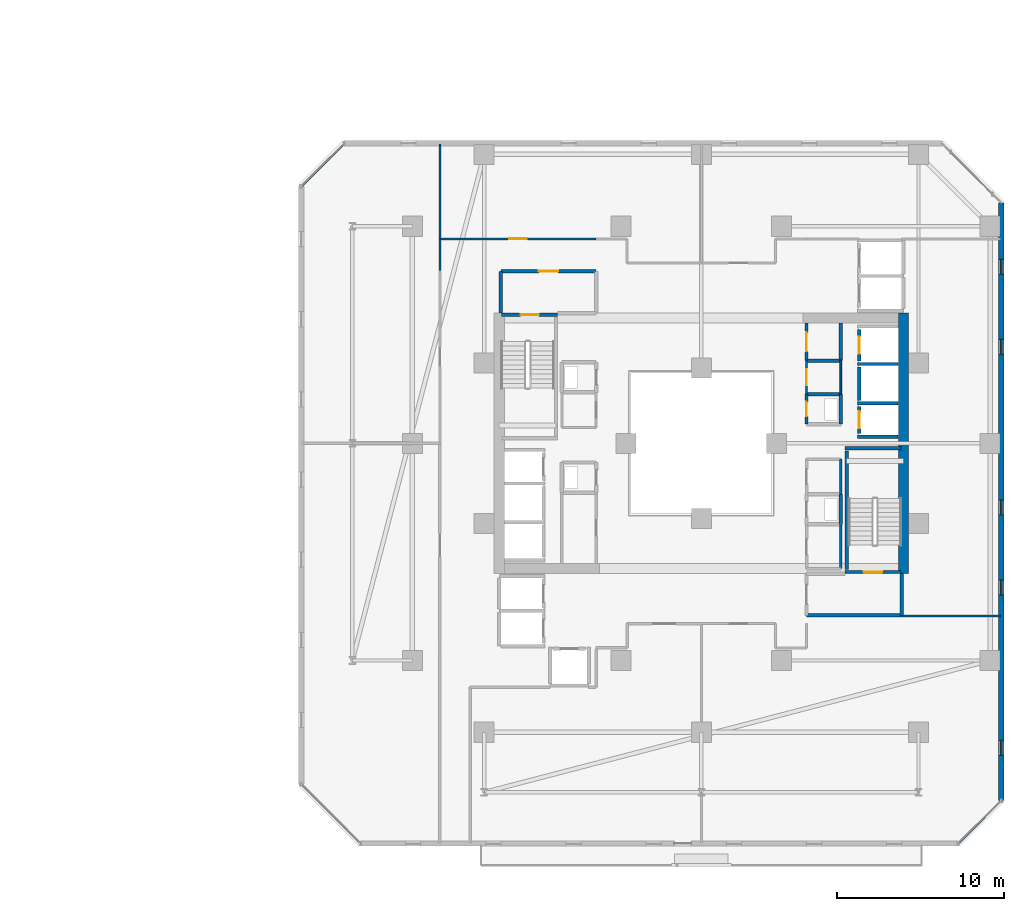
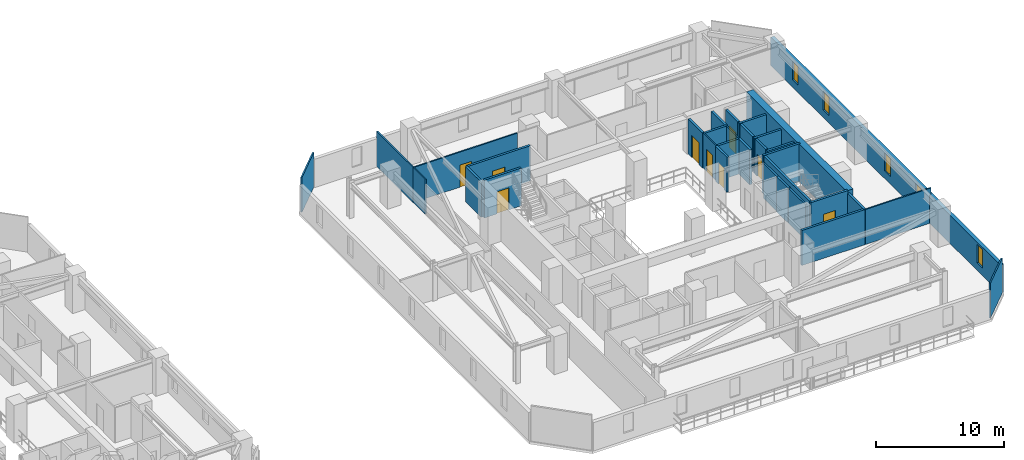
# One storey, part 25 of 33: 33 walls, 9 doors, 5 windows, 14 openings.
"""IFC4 building model written with IfcOpenShell, lengths in metres."""

from ifc_helpers import new_model, si_unit, direction, frame, frame_2d, origin, place, context, subcontext, project, spatial, rectangle, extrude, material, layer, layer_set, type_object, element, fill, save


model = new_model("IFC4")

# Units and contexts
model_context = context("Model", 3, precision=1e-05, world=origin(), true_north=direction((0.0, 1.0)))
body_context = subcontext(model_context, "Body", "Model", "MODEL_VIEW")
ifc_project = project(units=[si_unit("LENGTHUNIT", "METRE"), si_unit("AREAUNIT", "SQUARE_METRE"), si_unit("VOLUMEUNIT", "CUBIC_METRE"), si_unit("PLANEANGLEUNIT", "RADIAN"), si_unit("MASSUNIT", "GRAM", prefix="KILO")], contexts=[model_context])

# Site, building, storey
site_placement = place(None, origin())
site = spatial("IfcSite", under=ifc_project, at=site_placement, CompositionType="ELEMENT")
building_placement = place(site_placement, origin())
building = spatial("IfcBuilding", under=site, at=building_placement, Name="Thornwick Lancets Civic Towers", CompositionType="ELEMENT")
storey_placement = place(building_placement, frame((0.0, 0.0, 105.300048828125)))
storey = spatial("IfcBuildingStorey", under=building, at=storey_placement, Name="L27", CompositionType="ELEMENT", Elevation=105.300048828125)

# Wall, opening, door
ifc_material_1 = material(Name="Concrete blockwork C40/50", Category="masonry")
ifc_layer_1 = layer(ifc_material_1, 0.199951171875, Name="Concrete blockwork C40/50")
ifc_layer_set_1 = layer_set([ifc_layer_1], Name="Concrete blockwork C40/50")
wall_type_1 = type_object("IfcWallType", Name="WALL_COMP_200", PredefinedType="STANDARD", material=ifc_layer_set_1)
wall_1_placement = place(storey_placement, frame((97.949951171875, 29.219970703125, 0.0), z_axis=(0.0, 0.0, 1.0), x_axis=(0.0, -1.0, 0.0)))
wall_1 = element("IfcWall", 1, at=wall_1_placement, inside=storey, type_object=wall_type_1, Name="L27 Hoistway Front Wall FL-B1", PredefinedType="STANDARD", context=body_context, shape_type="SweptSolid", body=[
    extrude(rectangle(XDim=1.639892578125, YDim=0.199951171875, at=frame_2d((0.81982421875, 0.0))), origin(), (0.0, 0.0, 1.0), 3.33984375),
])
opening_1_placement = place(wall_1_placement, frame((0.31005859375, 0.0, 0.0)))
opening_1 = element("IfcOpeningElement", 2, at=opening_1_placement, cuts=wall_1, Name="Opening LD-FL-B1", PredefinedType="OPENING", context=body_context, shape_type="SweptSolid", body=[
    extrude(rectangle(XDim=1.02001953125, YDim=2.06005859375, at=frame_2d((0.510009765625, 1.030029296875))), frame((0.0, 0.10986328125, 0.0), z_axis=(0.0, -1.0, 0.0), x_axis=(1.0, 0.0, 0.0)), (0.0, 0.0, 1.0), 0.219970703125),
])
ifc_material_2 = material(Name="Brushed bronze stainless steel", Category="steel")
door_type_1 = type_object("IfcDoorType", Name="DOOR_LIFT_SLIDE", OperationType="SLIDING_TO_LEFT", PredefinedType="DOOR", material=ifc_material_2)
door_1_placement = place(opening_1_placement, origin())
door_1 = element("IfcDoor", 3, at=door_1_placement, inside=storey, type_object=door_type_1, Name="L27 Sliding Lift Landing Door LD-FL-B1", OperationType="SLIDING_TO_LEFT", OverallHeight=2.06005859375, OverallWidth=1.02001953125, PredefinedType="DOOR", context=body_context, shape_type="SweptSolid", body=[
    extrude(rectangle(XDim=1.02001953125, YDim=2.06005859375, at=frame_2d((0.510009765625, 1.030029296875))), frame((0.0, 0.02490234375, 0.0), z_axis=(0.0, -1.0, 0.0), x_axis=(1.0, 0.0, 0.0)), (0.0, 0.0, 1.0), 0.050048828125),
])
fill(opening_1, door_1)

# Wall
wall_2_placement = place(storey_placement, frame((97.949951171875, 31.570068359375, 0.0), z_axis=(0.0, 0.0, 1.0), x_axis=(0.0, -1.0, 0.0)))
element("IfcWall", 4, at=wall_2_placement, inside=storey, type_object=wall_type_1, Name="L27 Hoistway Front Wall PL-BH1", PredefinedType="STANDARD", context=body_context, shape_type="SweptSolid", body=[
    extrude(rectangle(XDim=1.989990234375, YDim=0.199951171875, at=frame_2d((0.9951171875, 0.0))), origin(), (0.0, 0.0, 1.0), 3.33984375),
])

# Wall, opening, door
wall_3_placement = place(storey_placement, frame((97.949951171875, 33.820068359375, 0.0), z_axis=(0.0, 0.0, 1.0), x_axis=(0.0, -1.0, 0.0)))
wall_3 = element("IfcWall", 5, at=wall_3_placement, inside=storey, type_object=wall_type_1, Name="L27 Hoistway Front Wall PL-BL1", PredefinedType="STANDARD", context=body_context, shape_type="SweptSolid", body=[
    extrude(rectangle(XDim=1.89013671875, YDim=0.199951171875, at=frame_2d((0.945068359375, 0.0))), origin(), (0.0, 0.0, 1.0), 3.33984375),
])
opening_2_placement = place(wall_3_placement, frame((0.43505859375, 0.0, 0.0)))
opening_2 = element("IfcOpeningElement", 6, at=opening_2_placement, cuts=wall_3, Name="Opening LD-PL-BL1", PredefinedType="OPENING", context=body_context, shape_type="SweptSolid", body=[
    extrude(rectangle(XDim=1.02001953125, YDim=2.06005859375, at=frame_2d((0.510009765625, 1.030029296875))), frame((0.0, 0.10986328125, 0.0), z_axis=(0.0, -1.0, 0.0), x_axis=(1.0, 0.0, 0.0)), (0.0, 0.0, 1.0), 0.219970703125),
])
door_2_placement = place(opening_2_placement, origin())
door_2 = element("IfcDoor", 7, at=door_2_placement, inside=storey, type_object=door_type_1, Name="L27 Sliding Lift Landing Door LD-PL-BL1", OperationType="SLIDING_TO_LEFT", OverallHeight=2.06005859375, OverallWidth=1.02001953125, PredefinedType="DOOR", context=body_context, shape_type="SweptSolid", body=[
    extrude(rectangle(XDim=1.02001953125, YDim=2.06005859375, at=frame_2d((0.510009765625, 1.030029296875))), frame((0.0, 0.02490234375, 0.0), z_axis=(0.0, -1.0, 0.0), x_axis=(1.0, 0.0, 0.0)), (0.0, 0.0, 1.0), 0.050048828125),
])
fill(opening_2, door_2)

# Walls
for number, where, z_axis, x_axis, name in (
    (8, (97.85205078125, 29.39990234375, 0.0), (0.0, 0.0, 1.0), (1.0, 0.0, 0.0), "L27 Hoistway Shaft Wall FL-B1 N"),
    (9, (97.85205078125, 27.39990234375, 0.0), (0.0, 0.0, 1.0), (1.0, 0.0, 0.0), "L27 Hoistway Shaft Wall FL-B1 S"),
    (10, (97.85205078125, 31.75, 0.0), (0.0, 0.0, 1.0), (1.0, 0.0, 0.0), "L27 Hoistway Shaft Wall PL-BH1 N"),
):
    element("IfcWall", number, at=place(storey_placement, frame(where, z_axis=z_axis, x_axis=x_axis)), inside=storey, type_object=wall_type_1, Name=name, PredefinedType="STANDARD", context=body_context, shape_type="SweptSolid", body=[
        extrude(rectangle(XDim=2.43603515625, YDim=0.199951171875, at=frame_2d((1.218017578125, 0.0))), origin(), (0.0, 0.0, 1.0), 3.33984375),
    ])
wall_4_placement = place(storey_placement, frame((94.800048828125, 16.699951171875, 0.0), z_axis=(0.0, 0.0, 1.0), x_axis=(1.0, 0.0, 0.0)))
element("IfcWall", 11, at=wall_4_placement, inside=storey, type_object=wall_type_1, Name="L27 Partition L27-B-FFLOB1 E1", PredefinedType="STANDARD", context=body_context, shape_type="SweptSolid", body=[
    extrude(rectangle(XDim=5.699951171875, YDim=0.199951171875, at=frame_2d((2.85009765625, 0.0))), origin(), (0.0, 0.0, 1.0), 3.33984375),
])
wall_5_placement = place(storey_placement, frame((100.5, 16.699951171875, 0.0), z_axis=(0.0, 0.0, 1.0), x_axis=(0.0, 1.0, 0.0)))
element("IfcWall", 12, at=wall_5_placement, inside=storey, type_object=wall_type_1, Name="L27 Partition L27-B-FFLOB1 E2", PredefinedType="STANDARD", context=body_context, shape_type="SweptSolid", body=[
    extrude(rectangle(XDim=2.5, YDim=0.199951171875, at=frame_2d((1.25, 0.0))), origin(), (0.0, 0.0, 1.0), 3.33984375),
])

# Wall, opening, door
wall_6_placement = place(storey_placement, frame((82.199951171875, 37.300048828125, 0.0), z_axis=(0.0, 0.0, 1.0), x_axis=(-1.0, 0.0, 0.0)))
wall_6 = element("IfcWall", 13, at=wall_6_placement, inside=storey, type_object=wall_type_1, Name="L27 Partition L27-B-FFLOB2 E3", PredefinedType="STANDARD", context=body_context, shape_type="SweptSolid", body=[
    extrude(rectangle(XDim=5.699951171875, YDim=0.199951171875, at=frame_2d((2.85009765625, 0.0))), origin(), (0.0, 0.0, 1.0), 3.33984375),
])
opening_3_placement = place(wall_6_placement, frame((2.27490234375, 0.0, 0.0)))
opening_3 = element("IfcOpeningElement", 14, at=opening_3_placement, cuts=wall_6, Name="Opening D-L27-1246", PredefinedType="OPENING", context=body_context, shape_type="SweptSolid", body=[
    extrude(rectangle(XDim=1.14990234375, YDim=2.10009765625, at=frame_2d((0.574951171875, 1.050048828125))), frame((0.0, 0.10986328125, 0.0), z_axis=(0.0, -1.0, 0.0), x_axis=(1.0, 0.0, 0.0)), (0.0, 0.0, 1.0), 0.219970703125),
])
ifc_material_3 = material(Name="Glazed fire-resisting steel", Category="steel")
door_type_2 = type_object("IfcDoorType", Name="DOOR_LOBBY_FD60", OperationType="NOTDEFINED", PredefinedType="DOOR", material=ifc_material_3)
door_3_placement = place(opening_3_placement, origin())
door_3 = element("IfcDoor", 15, at=door_3_placement, inside=storey, type_object=door_type_2, Name="L27 West Firefighting Lobby 2 Door", OperationType="SINGLE_SWING_LEFT", OverallHeight=2.10009765625, OverallWidth=1.14990234375, PredefinedType="DOOR", context=body_context, shape_type="SweptSolid", body=[
    extrude(rectangle(XDim=1.14990234375, YDim=2.10009765625, at=frame_2d((0.574951171875, 1.050048828125))), frame((0.0, 0.02490234375, 0.0), z_axis=(0.0, -1.0, 0.0), x_axis=(1.0, 0.0, 0.0)), (0.0, 0.0, 1.0), 0.050048828125),
])
fill(opening_3, door_3)

# Walls
wall_7_placement = place(storey_placement, frame((76.5, 37.300048828125, 0.0), z_axis=(0.0, 0.0, 1.0), x_axis=(0.0, -1.0, 0.0)))
element("IfcWall", 16, at=wall_7_placement, inside=storey, type_object=wall_type_1, Name="L27 Partition L27-B-FFLOB2 E4", PredefinedType="STANDARD", context=body_context, shape_type="SweptSolid", body=[
    extrude(rectangle(XDim=2.5, YDim=0.199951171875, at=frame_2d((1.25, 0.0))), origin(), (0.0, 0.0, 1.0), 3.33984375),
])
wall_8_placement = place(storey_placement, frame((96.85009765625, 28.14990234375, 0.0), z_axis=(0.0, 0.0, 1.0), x_axis=(0.0, 1.0, 0.0)))
element("IfcWall", 17, at=wall_8_placement, inside=storey, type_object=wall_type_1, Name="L27 Partition L27-B-DUCT1 E2", PredefinedType="STANDARD", context=body_context, shape_type="SweptSolid", body=[
    extrude(rectangle(XDim=1.800048828125, YDim=0.199951171875, at=frame_2d((0.89990234375, 0.0))), origin(), (0.0, 0.0, 1.0), 3.33984375),
])
wall_9_placement = place(storey_placement, frame((96.85009765625, 29.949951171875, 0.0), z_axis=(0.0, 0.0, 1.0), x_axis=(-1.0, 0.0, 0.0)))
element("IfcWall", 18, at=wall_9_placement, inside=storey, type_object=wall_type_1, Name="L27 Partition L27-B-DUCT1 E3", PredefinedType="STANDARD", context=body_context, shape_type="SweptSolid", body=[
    extrude(rectangle(XDim=2.050048828125, YDim=0.199951171875, at=frame_2d((1.02490234375, 0.0))), origin(), (0.0, 0.0, 1.0), 3.33984375),
])

# Wall, opening, door
wall_10_placement = place(storey_placement, frame((94.800048828125, 29.949951171875, 0.0), z_axis=(0.0, 0.0, 1.0), x_axis=(0.0, -1.0, 0.0)))
wall_10 = element("IfcWall", 19, at=wall_10_placement, inside=storey, type_object=wall_type_1, Name="L27 Partition L27-B-DUCT1 E4", PredefinedType="STANDARD", context=body_context, shape_type="SweptSolid", body=[
    extrude(rectangle(XDim=1.800048828125, YDim=0.199951171875, at=frame_2d((0.89990234375, 0.0))), origin(), (0.0, 0.0, 1.0), 3.33984375),
])
opening_4_placement = place(wall_10_placement, frame((0.4599609375, 0.0, 0.0)))
opening_4 = element("IfcOpeningElement", 20, at=opening_4_placement, cuts=wall_10, Name="Opening D-L27-1247", PredefinedType="OPENING", context=body_context, shape_type="SweptSolid", body=[
    extrude(rectangle(XDim=0.8798828125, YDim=2.0400390625, at=frame_2d((0.43994140625, 1.02001953125))), frame((0.0, 0.10986328125, 0.0), z_axis=(0.0, -1.0, 0.0), x_axis=(1.0, 0.0, 0.0)), (0.0, 0.0, 1.0), 0.219970703125),
])
ifc_material_4 = material(Name="Steel riser access doorset", Category="steel")
door_type_3 = type_object("IfcDoorType", Name="DOOR_RISER_850", OperationType="NOTDEFINED", PredefinedType="DOOR", material=ifc_material_4)
door_4_placement = place(opening_4_placement, origin())
door_4 = element("IfcDoor", 21, at=door_4_placement, inside=storey, type_object=door_type_3, Name="L27 East Service Duct 1 Door", OperationType="SINGLE_SWING_RIGHT", OverallHeight=2.0400390625, OverallWidth=0.8798828125, PredefinedType="DOOR", context=body_context, shape_type="SweptSolid", body=[
    extrude(rectangle(XDim=0.8798828125, YDim=2.0400390625, at=frame_2d((0.43994140625, 1.02001953125))), frame((0.0, 0.02490234375, 0.0), z_axis=(0.0, -1.0, 0.0), x_axis=(1.0, 0.0, 0.0)), (0.0, 0.0, 1.0), 0.050048828125),
])
fill(opening_4, door_4)

# Wall
wall_11_placement = place(storey_placement, frame((96.85009765625, 22.14990234375, 0.0), z_axis=(0.0, 0.0, 1.0), x_axis=(0.0, 1.0, 0.0)))
element("IfcWall", 22, at=wall_11_placement, inside=storey, type_object=wall_type_1, Name="L27 Partition L27-B-RISER1 E2", PredefinedType="STANDARD", context=body_context, shape_type="SweptSolid", body=[
    extrude(rectangle(XDim=1.800048828125, YDim=0.199951171875, at=frame_2d((0.89990234375, 0.0))), origin(), (0.0, 0.0, 1.0), 3.33984375),
])

# Wall, opening, door
wall_12_placement = place(storey_placement, frame((94.800048828125, 31.949951171875, 0.0), z_axis=(0.0, 0.0, 1.0), x_axis=(0.0, 1.0, 0.0)))
wall_12 = element("IfcWall", 23, at=wall_12_placement, inside=storey, type_object=wall_type_1, Name="L27 Partition L27-B-ITR2 E1", PredefinedType="STANDARD", context=body_context, shape_type="SweptSolid", body=[
    extrude(rectangle(XDim=2.25, YDim=0.199951171875, at=frame_2d((1.125, 0.0))), origin(), (0.0, 0.0, 1.0), 3.33984375),
])
opening_5_placement = place(wall_12_placement, frame((0.550048828125, 0.0, 0.0)))
opening_5 = element("IfcOpeningElement", 24, at=opening_5_placement, cuts=wall_12, Name="Opening D-L27-1254", PredefinedType="OPENING", context=body_context, shape_type="SweptSolid", body=[
    extrude(rectangle(XDim=1.14990234375, YDim=2.10009765625, at=frame_2d((0.574951171875, 1.050048828125))), frame((0.0, 0.10986328125, 0.0), z_axis=(0.0, -1.0, 0.0), x_axis=(1.0, 0.0, 0.0)), (0.0, 0.0, 1.0), 0.219970703125),
])
door_5_placement = place(opening_5_placement, origin())
door_5 = element("IfcDoor", 25, at=door_5_placement, inside=storey, type_object=door_type_2, Name="L27 Tower B Statutory Core Archive Door", OperationType="SINGLE_SWING_LEFT", OverallHeight=2.10009765625, OverallWidth=1.14990234375, PredefinedType="DOOR", context=body_context, shape_type="SweptSolid", body=[
    extrude(rectangle(XDim=1.14990234375, YDim=2.10009765625, at=frame_2d((0.574951171875, 1.050048828125))), frame((0.0, 0.02490234375, 0.0), z_axis=(0.0, -1.0, 0.0), x_axis=(1.0, 0.0, 0.0)), (0.0, 0.0, 1.0), 0.050048828125),
])
fill(opening_5, door_5)

# Walls
wall_13_placement = place(storey_placement, frame((96.85009765625, 34.199951171875, 0.0), z_axis=(0.0, 0.0, 1.0), x_axis=(0.0, -1.0, 0.0)))
element("IfcWall", 26, at=wall_13_placement, inside=storey, type_object=wall_type_1, Name="L27 Partition L27-B-ITR2 E3", PredefinedType="STANDARD", context=body_context, shape_type="SweptSolid", body=[
    extrude(rectangle(XDim=2.25, YDim=0.199951171875, at=frame_2d((1.125, 0.0))), origin(), (0.0, 0.0, 1.0), 3.33984375),
])
wall_14_placement = place(storey_placement, frame((96.85009765625, 31.949951171875, 0.0), z_axis=(0.0, 0.0, 1.0), x_axis=(-1.0, 0.0, 0.0)))
element("IfcWall", 27, at=wall_14_placement, inside=storey, type_object=wall_type_1, Name="L27 Partition L27-B-ITR2 E4", PredefinedType="STANDARD", context=body_context, shape_type="SweptSolid", body=[
    extrude(rectangle(XDim=2.050048828125, YDim=0.199951171875, at=frame_2d((1.02490234375, 0.0))), origin(), (0.0, 0.0, 1.0), 3.33984375),
])
ifc_material_5 = material(Name="Concrete C60/75", Category="concrete")
ifc_layer_2 = layer(ifc_material_5, 0.60009765625, Name="Concrete C60/75")
ifc_layer_set_2 = layer_set([ifc_layer_2], Name="Concrete C60/75")
wall_type_2 = type_object("IfcWallType", Name="WALL_CORE_600", PredefinedType="SHEAR", material=ifc_layer_set_2)
wall_15_placement = place(storey_placement, frame((100.60009765625, 19.199951171875, 0.0), z_axis=(0.0, 0.0, 1.0), x_axis=(0.0, 1.0, 0.0)))
element("IfcWall", 28, at=wall_15_placement, inside=storey, type_object=wall_type_2, Name="L27 Split Core B1 Shear Wall E", PredefinedType="SHEAR", context=body_context, shape_type="SweptSolid", body=[
    extrude(rectangle(XDim=15.60009765625, YDim=0.60009765625, at=frame_2d((7.800048828125, 0.0))), origin(), (0.0, 0.0, 1.0), 3.599853515625),
])

# Wall, openings, windows
ifc_material_6 = material(Name="Insulated buff terracotta rainscreen on concrete C40/50", Category="masonry")
ifc_layer_3 = layer(ifc_material_6, 0.320068359375, Name="Insulated buff terracotta rainscreen on concrete C40/50")
ifc_layer_set_3 = layer_set([ifc_layer_3], Name="Insulated buff terracotta rainscreen on concrete C40/50")
wall_type_3 = type_object("IfcWallType", Name="WALL_EXT_TERRA_320", PredefinedType="STANDARD", material=ifc_layer_set_3)
wall_16_placement = place(storey_placement, frame((106.464599609375, 5.61865234375, 0.0), z_axis=(0.0, 0.0, 1.0), x_axis=(-8.8693006e-05, 0.999999996067, 0.0)))
wall_16 = element("IfcWall", 29, at=wall_16_placement, inside=storey, type_object=wall_type_3, Name="L27 Tower B Terracotta Facade Wall E2", PredefinedType="STANDARD", context=body_context, shape_type="SweptSolid", body=[
    extrude(rectangle(XDim=35.784423828125, YDim=0.320068359375, at=frame_2d((17.89208984375, 0.0))), origin(), (0.0, 0.0, 1.0), 2.699951171875),
])
opening_6_placement = place(wall_16_placement, frame((2.699951171875, 0.0, 0.719970703125)))
opening_6 = element("IfcOpeningElement", 30, at=opening_6_placement, cuts=wall_16, Name="Opening WL-01", PredefinedType="OPENING", context=body_context, shape_type="SweptSolid", body=[
    extrude(rectangle(XDim=0.89990234375, YDim=1.75, at=frame_2d((0.449951171875, 0.875))), frame((0.0, 0.169921875, 0.0), z_axis=(0.0, -1.0, 0.0), x_axis=(1.0, 0.0, 0.0)), (0.0, 0.0, 1.0), 0.340087890625),
])
opening_7_placement = place(wall_16_placement, frame((12.300048828125, 0.0, 0.719970703125)))
opening_7 = element("IfcOpeningElement", 31, at=opening_7_placement, cuts=wall_16, Name="Opening WL-01", PredefinedType="OPENING", context=body_context, shape_type="SweptSolid", body=[
    extrude(rectangle(XDim=0.89990234375, YDim=1.75, at=frame_2d((0.449951171875, 0.875))), frame((0.0, 0.169921875, 0.0), z_axis=(0.0, -1.0, 0.0), x_axis=(1.0, 0.0, 0.0)), (0.0, 0.0, 1.0), 0.340087890625),
])
opening_8_placement = place(wall_16_placement, frame((17.10009765625, 0.0, 0.719970703125)))
opening_8 = element("IfcOpeningElement", 32, at=opening_8_placement, cuts=wall_16, Name="Opening WL-01", PredefinedType="OPENING", context=body_context, shape_type="SweptSolid", body=[
    extrude(rectangle(XDim=0.89990234375, YDim=1.75, at=frame_2d((0.449951171875, 0.875))), frame((0.0, 0.169921875, 0.0), z_axis=(0.0, -1.0, 0.0), x_axis=(1.0, 0.0, 0.0)), (0.0, 0.0, 1.0), 0.340087890625),
])
opening_9_placement = place(wall_16_placement, frame((26.699951171875, 0.0, 0.719970703125)))
opening_9 = element("IfcOpeningElement", 33, at=opening_9_placement, cuts=wall_16, Name="Opening WL-01", PredefinedType="OPENING", context=body_context, shape_type="SweptSolid", body=[
    extrude(rectangle(XDim=0.89990234375, YDim=1.75, at=frame_2d((0.449951171875, 0.875))), frame((0.0, 0.169921875, 0.0), z_axis=(0.0, -1.0, 0.0), x_axis=(1.0, 0.0, 0.0)), (0.0, 0.0, 1.0), 0.340087890625),
])
opening_10_placement = place(wall_16_placement, frame((31.5, 0.0, 0.719970703125)))
opening_10 = element("IfcOpeningElement", 34, at=opening_10_placement, cuts=wall_16, Name="Opening WL-01", PredefinedType="OPENING", context=body_context, shape_type="SweptSolid", body=[
    extrude(rectangle(XDim=0.89990234375, YDim=1.75, at=frame_2d((0.449951171875, 0.875))), frame((0.0, 0.169921875, 0.0), z_axis=(0.0, -1.0, 0.0), x_axis=(1.0, 0.0, 0.0)), (0.0, 0.0, 1.0), 0.340087890625),
])
ifc_material_7 = material(Name="Clear low-e double glazing in bronze frame", Category="glass")
window_type = type_object("IfcWindowType", Name="WIN_LANCET_900", PartitioningType="SINGLE_PANEL", PredefinedType="WINDOW", material=ifc_material_7)
window_1_placement = place(opening_6_placement, origin())
window_1 = element("IfcWindow", 35, at=window_1_placement, inside=storey, type_object=window_type, Name="L27 Tower B Staggered Lancet Window E2-1", OverallHeight=1.75, OverallWidth=0.89990234375, PartitioningType="SINGLE_PANEL", PredefinedType="WINDOW", context=body_context, shape_type="SweptSolid", body=[
    extrude(rectangle(XDim=0.89990234375, YDim=1.75, at=frame_2d((0.449951171875, 0.875))), frame((0.0, 0.030029296875, 0.0), z_axis=(0.0, -1.0, 0.0), x_axis=(1.0, 0.0, 0.0)), (0.0, 0.0, 1.0), 0.06005859375),
])
fill(opening_6, window_1)
window_2_placement = place(opening_7_placement, origin())
window_2 = element("IfcWindow", 36, at=window_2_placement, inside=storey, type_object=window_type, Name="L27 Tower B Staggered Lancet Window E2-2", OverallHeight=1.75, OverallWidth=0.89990234375, PartitioningType="SINGLE_PANEL", PredefinedType="WINDOW", context=body_context, shape_type="SweptSolid", body=[
    extrude(rectangle(XDim=0.89990234375, YDim=1.75, at=frame_2d((0.449951171875, 0.875))), frame((0.0, 0.030029296875, 0.0), z_axis=(0.0, -1.0, 0.0), x_axis=(1.0, 0.0, 0.0)), (0.0, 0.0, 1.0), 0.06005859375),
])
fill(opening_7, window_2)
window_3_placement = place(opening_8_placement, origin())
window_3 = element("IfcWindow", 37, at=window_3_placement, inside=storey, type_object=window_type, Name="L27 Tower B Staggered Lancet Window E2-3", OverallHeight=1.75, OverallWidth=0.89990234375, PartitioningType="SINGLE_PANEL", PredefinedType="WINDOW", context=body_context, shape_type="SweptSolid", body=[
    extrude(rectangle(XDim=0.89990234375, YDim=1.75, at=frame_2d((0.449951171875, 0.875))), frame((0.0, 0.030029296875, 0.0), z_axis=(0.0, -1.0, 0.0), x_axis=(1.0, 0.0, 0.0)), (0.0, 0.0, 1.0), 0.06005859375),
])
fill(opening_8, window_3)
window_4_placement = place(opening_9_placement, origin())
window_4 = element("IfcWindow", 38, at=window_4_placement, inside=storey, type_object=window_type, Name="L27 Tower B Staggered Lancet Window E2-4", OverallHeight=1.75, OverallWidth=0.89990234375, PartitioningType="SINGLE_PANEL", PredefinedType="WINDOW", context=body_context, shape_type="SweptSolid", body=[
    extrude(rectangle(XDim=0.89990234375, YDim=1.75, at=frame_2d((0.449951171875, 0.875))), frame((0.0, 0.030029296875, 0.0), z_axis=(0.0, -1.0, 0.0), x_axis=(1.0, 0.0, 0.0)), (0.0, 0.0, 1.0), 0.06005859375),
])
fill(opening_9, window_4)
window_5_placement = place(opening_10_placement, origin())
window_5 = element("IfcWindow", 39, at=window_5_placement, inside=storey, type_object=window_type, Name="L27 Tower B Staggered Lancet Window E2-5", OverallHeight=1.75, OverallWidth=0.89990234375, PartitioningType="SINGLE_PANEL", PredefinedType="WINDOW", context=body_context, shape_type="SweptSolid", body=[
    extrude(rectangle(XDim=0.89990234375, YDim=1.75, at=frame_2d((0.449951171875, 0.875))), frame((0.0, 0.030029296875, 0.0), z_axis=(0.0, -1.0, 0.0), x_axis=(1.0, 0.0, 0.0)), (0.0, 0.0, 1.0), 0.06005859375),
])
fill(opening_10, window_5)

# Wall, opening, door
ifc_material_8 = material(Name="Lightweight cellular office partition")
ifc_layer_4 = layer(ifc_material_8, 0.10009765625, Name="Lightweight cellular office partition")
ifc_layer_set_4 = layer_set([ifc_layer_4], Name="Lightweight cellular office partition")
wall_type_4 = type_object("IfcWallType", Name="WALL_PART_100", PredefinedType="PARTITIONING", material=ifc_layer_set_4)
wall_17_placement = place(storey_placement, frame((94.800048828125, 29.949951171875, 0.0), z_axis=(0.0, 0.0, 1.0), x_axis=(0.0, 1.0, 0.0)))
wall_17 = element("IfcWall", 40, at=wall_17_placement, inside=storey, type_object=wall_type_4, Name="L27 Partition L27-B-CLN E1", PredefinedType="PARTITIONING", context=body_context, shape_type="SweptSolid", body=[
    extrude(rectangle(XDim=2.0, YDim=0.10009765625, at=frame_2d((1.0, 0.0))), origin(), (0.0, 0.0, 1.0), 3.33984375),
])
opening_11_placement = place(wall_17_placement, frame((0.52490234375, 0.0, 0.0)))
opening_11 = element("IfcOpeningElement", 41, at=opening_11_placement, cuts=wall_17, Name="Opening D-L27-1253", PredefinedType="OPENING", context=body_context, shape_type="SweptSolid", body=[
    extrude(rectangle(XDim=0.949951171875, YDim=2.10009765625, at=frame_2d((0.47509765625, 1.050048828125))), frame((0.0, 0.06005859375, 0.0), z_axis=(0.0, -1.0, 0.0), x_axis=(1.0, 0.0, 0.0)), (0.0, 0.0, 1.0), 0.1201171875),
])
ifc_material_9 = material(Name="European oak acoustic doorset")
door_type_4 = type_object("IfcDoorType", Name="DOOR_OFFICE_950", OperationType="NOTDEFINED", PredefinedType="DOOR", material=ifc_material_9)
door_6_placement = place(opening_11_placement, origin())
door_6 = element("IfcDoor", 42, at=door_6_placement, inside=storey, type_object=door_type_4, Name="L27 Tower B Cleaners Store Door", OperationType="SINGLE_SWING_RIGHT", OverallHeight=2.10009765625, OverallWidth=0.949951171875, PredefinedType="DOOR", context=body_context, shape_type="SweptSolid", body=[
    extrude(rectangle(XDim=0.949951171875, YDim=2.10009765625, at=frame_2d((0.47509765625, 1.050048828125))), frame((0.0, 0.02490234375, 0.0), z_axis=(0.0, -1.0, 0.0), x_axis=(1.0, 0.0, 0.0)), (0.0, 0.0, 1.0), 0.050048828125),
])
fill(opening_11, door_6)

# Walls
wall_18_placement = place(storey_placement, frame((96.85009765625, 31.949951171875, 0.0), z_axis=(0.0, 0.0, 1.0), x_axis=(0.0, -1.0, 0.0)))
element("IfcWall", 43, at=wall_18_placement, inside=storey, type_object=wall_type_4, Name="L27 Partition L27-B-CLN E3", PredefinedType="PARTITIONING", context=body_context, shape_type="SweptSolid", body=[
    extrude(rectangle(XDim=2.0, YDim=0.10009765625, at=frame_2d((1.0, 0.0))), origin(), (0.0, 0.0, 1.0), 3.33984375),
])
ifc_material_10 = material(Name="Acoustic gypsum board partition")
ifc_layer_5 = layer(ifc_material_10, 0.1201171875, Name="Acoustic gypsum board partition")
ifc_layer_set_5 = layer_set([ifc_layer_5], Name="Acoustic gypsum board partition")
wall_type_5 = type_object("IfcWallType", Name="WALL_PART_120", PredefinedType="PARTITIONING", material=ifc_layer_set_5)
wall_19_placement = place(storey_placement, frame((100.5, 16.64990234375, 0.0), z_axis=(0.0, 0.0, 1.0), x_axis=(1.0, 0.0, 0.0)))
element("IfcWall", 44, at=wall_19_placement, inside=storey, type_object=wall_type_5, Name="L27 Partition L27-B-W1 E5", PredefinedType="PARTITIONING", context=body_context, shape_type="SweptSolid", body=[
    extrude(rectangle(XDim=5.919921875, YDim=0.1201171875, at=frame_2d((2.9599609375, 0.0))), origin(), (0.0, 0.0, 1.0), 3.33984375),
])
wall_20_placement = place(storey_placement, frame((106.419921875, 5.57470703125, 0.0), z_axis=(0.0, 0.0, 1.0), x_axis=(-0.707106781187, -0.707106781187, 0.0)))
element("IfcWall", 45, at=wall_20_placement, inside=storey, type_object=wall_type_5, Name="L27 Partition L27-B-W1 E7", PredefinedType="PARTITIONING", context=body_context, shape_type="SweptSolid", body=[
    extrude(rectangle(XDim=3.52783203125, YDim=0.1201171875, at=frame_2d((1.763916015625, 0.0))), origin(), (0.0, 0.0, 1.0), 3.33984375),
])

# Wall, opening, door
wall_21_placement = place(storey_placement, frame((82.199951171875, 39.25, 0.0), z_axis=(0.0, 0.0, 1.0), x_axis=(-1.0, 0.0, 0.0)))
wall_21 = element("IfcWall", 46, at=wall_21_placement, inside=storey, type_object=wall_type_5, Name="L27 Partition L27-B-E2 E3", PredefinedType="PARTITIONING", context=body_context, shape_type="SweptSolid", body=[
    extrude(rectangle(XDim=9.349853515625, YDim=0.1201171875, at=frame_2d((4.6748046875, 0.0))), origin(), (0.0, 0.0, 1.0), 3.33984375),
])
opening_12_placement = place(wall_21_placement, frame((4.14990234375, 0.0, 0.0)))
opening_12 = element("IfcOpeningElement", 47, at=opening_12_placement, cuts=wall_21, Name="Opening D-L27-1266", PredefinedType="OPENING", context=body_context, shape_type="SweptSolid", body=[
    extrude(rectangle(XDim=1.050048828125, YDim=2.10009765625, at=frame_2d((0.52490234375, 1.050048828125))), frame((0.0, 0.070068359375, 0.0), z_axis=(0.0, -1.0, 0.0), x_axis=(1.0, 0.0, 0.0)), (0.0, 0.0, 1.0), 0.14013671875),
])
ifc_material_11 = material(Name="Glazed European oak executive doorset")
door_type_5 = type_object("IfcDoorType", Name="DOOR_OFFICE_1050", OperationType="NOTDEFINED", PredefinedType="DOOR", material=ifc_material_11)
door_7_placement = place(opening_12_placement, origin())
door_7 = element("IfcDoor", 48, at=door_7_placement, inside=storey, type_object=door_type_5, Name="L27 Tower B Visitors Reception and Waiting Door", OperationType="SINGLE_SWING_LEFT", OverallHeight=2.10009765625, OverallWidth=1.050048828125, PredefinedType="DOOR", context=body_context, shape_type="SweptSolid", body=[
    extrude(rectangle(XDim=1.050048828125, YDim=2.10009765625, at=frame_2d((0.52490234375, 1.050048828125))), frame((0.0, 0.02490234375, 0.0), z_axis=(0.0, -1.0, 0.0), x_axis=(1.0, 0.0, 0.0)), (0.0, 0.0, 1.0), 0.050048828125),
])
fill(opening_12, door_7)

# Walls
wall_22_placement = place(storey_placement, frame((72.85009765625, 39.25, 0.0), z_axis=(0.0, 0.0, 1.0), x_axis=(0.0, 1.0, 0.0)))
element("IfcWall", 49, at=wall_22_placement, inside=storey, type_object=wall_type_5, Name="L27 Partition L27-B-E2 E4", PredefinedType="PARTITIONING", context=body_context, shape_type="SweptSolid", body=[
    extrude(rectangle(XDim=5.669921875, YDim=0.1201171875, at=frame_2d((2.8349609375, 0.0))), origin(), (0.0, 0.0, 1.0), 3.33984375),
])
wall_23_placement = place(storey_placement, frame((64.580078125, 42.42529296875, 0.0), z_axis=(0.0, 0.0, 1.0), x_axis=(0.707106781187, 0.707106781187, 0.0)))
element("IfcWall", 50, at=wall_23_placement, inside=storey, type_object=wall_type_5, Name="L27 Partition L27-B-N-OFF E2", PredefinedType="PARTITIONING", context=body_context, shape_type="SweptSolid", body=[
    extrude(rectangle(XDim=3.52783203125, YDim=0.1201171875, at=frame_2d((1.763916015625, 0.0))), origin(), (0.0, 0.0, 1.0), 3.33984375),
])
wall_24_placement = place(storey_placement, frame((72.85009765625, 39.25, 0.0), z_axis=(0.0, 0.0, 1.0), x_axis=(0.0, -1.0, 0.0)))
element("IfcWall", 51, at=wall_24_placement, inside=storey, type_object=wall_type_5, Name="L27 Partition L27-B-N-OFF E5", PredefinedType="PARTITIONING", context=body_context, shape_type="SweptSolid", body=[
    extrude(rectangle(XDim=1.89990234375, YDim=0.1201171875, at=frame_2d((0.949951171875, 0.0))), origin(), (0.0, 0.0, 1.0), 3.33984375),
])
ifc_material_12 = material(Name="Twin-stud acoustic gypsum board")
ifc_layer_6 = layer(ifc_material_12, 0.14990234375, Name="Twin-stud acoustic gypsum board")
ifc_layer_set_6 = layer_set([ifc_layer_6], Name="Twin-stud acoustic gypsum board")
wall_type_6 = type_object("IfcWallType", Name="WALL_PART_150", PredefinedType="PARTITIONING", material=ifc_layer_set_6)
wall_25_placement = place(storey_placement, frame((96.85009765625, 19.5, 0.0), z_axis=(0.0, 0.0, 1.0), x_axis=(0.0, 1.0, 0.0)))
element("IfcWall", 52, at=wall_25_placement, inside=storey, type_object=wall_type_6, Name="L27 Partition L27-B-MWC E2", PredefinedType="PARTITIONING", context=body_context, shape_type="SweptSolid", body=[
    extrude(rectangle(XDim=2.60009765625, YDim=0.14990234375, at=frame_2d((1.300048828125, 0.0))), origin(), (0.0, 0.0, 1.0), 3.33984375),
])
wall_26_placement = place(storey_placement, frame((96.85009765625, 26.050048828125, 0.0), z_axis=(0.0, 0.0, 1.0), x_axis=(0.0, -1.0, 0.0)))
element("IfcWall", 53, at=wall_26_placement, inside=storey, type_object=wall_type_6, Name="L27 Partition L27-B-AWC E3", PredefinedType="PARTITIONING", context=body_context, shape_type="SweptSolid", body=[
    extrude(rectangle(XDim=2.10009765625, YDim=0.14990234375, at=frame_2d((1.050048828125, 0.0))), origin(), (0.0, 0.0, 1.0), 3.33984375),
])

# Wall, opening, door
ifc_material_13 = material(Name="Concrete C40/50", Category="concrete")
ifc_layer_7 = layer(ifc_material_13, 0.199951171875, Name="Concrete C40/50")
ifc_layer_set_7 = layer_set([ifc_layer_7], Name="Concrete C40/50")
wall_type_7 = type_object("IfcWallType", Name="WALL_SHAFT_200", PredefinedType="SHEAR", material=ifc_layer_set_7)
wall_27_placement = place(storey_placement, frame((100.449951171875, 19.300048828125, 0.0), z_axis=(0.0, 0.0, 1.0), x_axis=(-1.0, 0.0, 0.0)))
wall_27 = element("IfcWall", 54, at=wall_27_placement, inside=storey, type_object=wall_type_7, Name="L27 ST-B1 Fire Stair Core Wall NEAR", PredefinedType="SHEAR", context=body_context, shape_type="SweptSolid", body=[
    extrude(rectangle(XDim=3.349853515625, YDim=0.199951171875, at=frame_2d((1.6748046875, 0.0))), origin(), (0.0, 0.0, 1.0), 3.599853515625),
])
opening_13_placement = place(wall_27_placement, frame((1.125, 0.0, 0.0)))
opening_13 = element("IfcOpeningElement", 55, at=opening_13_placement, cuts=wall_27, Name="Opening D-ST-B1-L27", PredefinedType="OPENING", context=body_context, shape_type="SweptSolid", body=[
    extrude(rectangle(XDim=1.10009765625, YDim=2.10009765625, at=frame_2d((0.550048828125, 1.050048828125))), frame((0.0, 0.10986328125, 0.0), z_axis=(0.0, -1.0, 0.0), x_axis=(1.0, 0.0, 0.0)), (0.0, 0.0, 1.0), 0.219970703125),
])
ifc_material_14 = material(Name="Fire-resisting steel and hardwood", Category="steel")
door_type_6 = type_object("IfcDoorType", Name="DOOR_STAIR_FD60", OperationType="NOTDEFINED", PredefinedType="DOOR", material=ifc_material_14)
door_8_placement = place(opening_13_placement, origin())
door_8 = element("IfcDoor", 56, at=door_8_placement, inside=storey, type_object=door_type_6, Name="L27 ST-B1 Exit Stair Door", OperationType="SINGLE_SWING_RIGHT", OverallHeight=2.10009765625, OverallWidth=1.10009765625, PredefinedType="DOOR", context=body_context, shape_type="SweptSolid", body=[
    extrude(rectangle(XDim=1.10009765625, YDim=2.10009765625, at=frame_2d((0.550048828125, 1.050048828125))), frame((0.0, 0.02490234375, 0.0), z_axis=(0.0, -1.0, 0.0), x_axis=(1.0, 0.0, 0.0)), (0.0, 0.0, 1.0), 0.050048828125),
])
fill(opening_13, door_8)

# Walls
wall_28_placement = place(storey_placement, frame((97.10009765625, 26.699951171875, 0.0), z_axis=(0.0, 0.0, 1.0), x_axis=(1.0, 0.0, 0.0)))
element("IfcWall", 57, at=wall_28_placement, inside=storey, type_object=wall_type_7, Name="L27 ST-B1 Fire Stair Core Wall FAR", PredefinedType="SHEAR", context=body_context, shape_type="SweptSolid", body=[
    extrude(rectangle(XDim=3.349853515625, YDim=0.199951171875, at=frame_2d((1.6748046875, 0.0))), origin(), (0.0, 0.0, 1.0), 3.599853515625),
])
wall_29_placement = place(storey_placement, frame((97.202880859375, 26.550048828125, 0.0), z_axis=(0.0, 0.0, 1.0), x_axis=(0.0, -1.0, 0.0)))
element("IfcWall", 58, at=wall_29_placement, inside=storey, type_object=wall_type_7, Name="L27 ST-B1 Fire Stair Core Wall RIGHT", PredefinedType="SHEAR", context=body_context, shape_type="SweptSolid", body=[
    extrude(rectangle(XDim=7.10009765625, YDim=0.199951171875, at=frame_2d((3.550048828125, 0.0))), origin(), (0.0, 0.0, 1.0), 3.599853515625),
])

# Wall, opening, door
wall_30_placement = place(storey_placement, frame((76.550048828125, 34.699951171875, 0.0), z_axis=(0.0, 0.0, 1.0), x_axis=(1.0, 0.0, 0.0)))
wall_30 = element("IfcWall", 59, at=wall_30_placement, inside=storey, type_object=wall_type_7, Name="L27 ST-B2 Fire Stair Core Wall NEAR", PredefinedType="SHEAR", context=body_context, shape_type="SweptSolid", body=[
    extrude(rectangle(XDim=3.349853515625, YDim=0.199951171875, at=frame_2d((1.6748046875, 0.0))), origin(), (0.0, 0.0, 1.0), 3.599853515625),
])
opening_14_placement = place(wall_30_placement, frame((1.125, 0.0, 0.0)))
opening_14 = element("IfcOpeningElement", 60, at=opening_14_placement, cuts=wall_30, Name="Opening D-ST-B2-L27", PredefinedType="OPENING", context=body_context, shape_type="SweptSolid", body=[
    extrude(rectangle(XDim=1.10009765625, YDim=2.10009765625, at=frame_2d((0.550048828125, 1.050048828125))), frame((0.0, 0.10986328125, 0.0), z_axis=(0.0, -1.0, 0.0), x_axis=(1.0, 0.0, 0.0)), (0.0, 0.0, 1.0), 0.219970703125),
])
door_9_placement = place(opening_14_placement, origin())
door_9 = element("IfcDoor", 61, at=door_9_placement, inside=storey, type_object=door_type_6, Name="L27 ST-B2 Exit Stair Door", OperationType="SINGLE_SWING_LEFT", OverallHeight=2.10009765625, OverallWidth=1.10009765625, PredefinedType="DOOR", context=body_context, shape_type="SweptSolid", body=[
    extrude(rectangle(XDim=1.10009765625, YDim=2.10009765625, at=frame_2d((0.550048828125, 1.050048828125))), frame((0.0, 0.02490234375, 0.0), z_axis=(0.0, -1.0, 0.0), x_axis=(1.0, 0.0, 0.0)), (0.0, 0.0, 1.0), 0.050048828125),
])
fill(opening_14, door_9)

save(model, "model.ifc")
